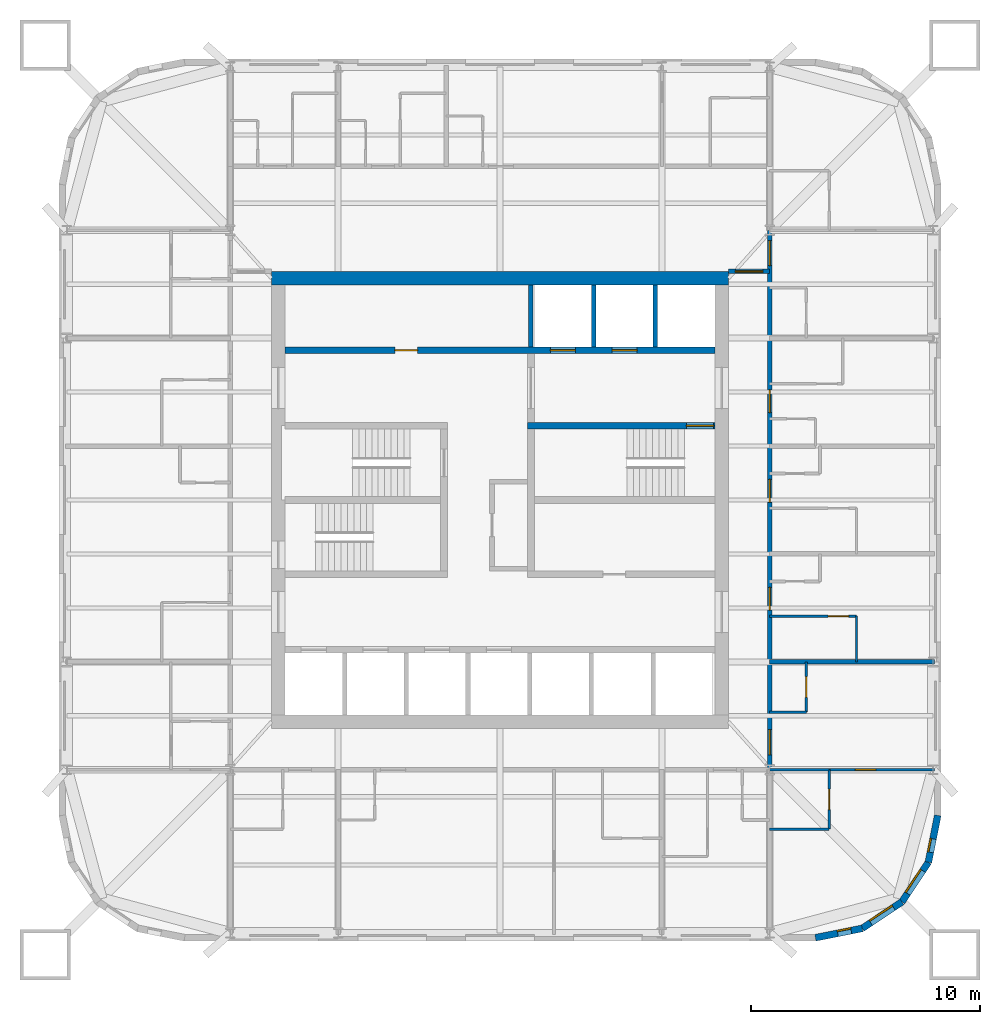
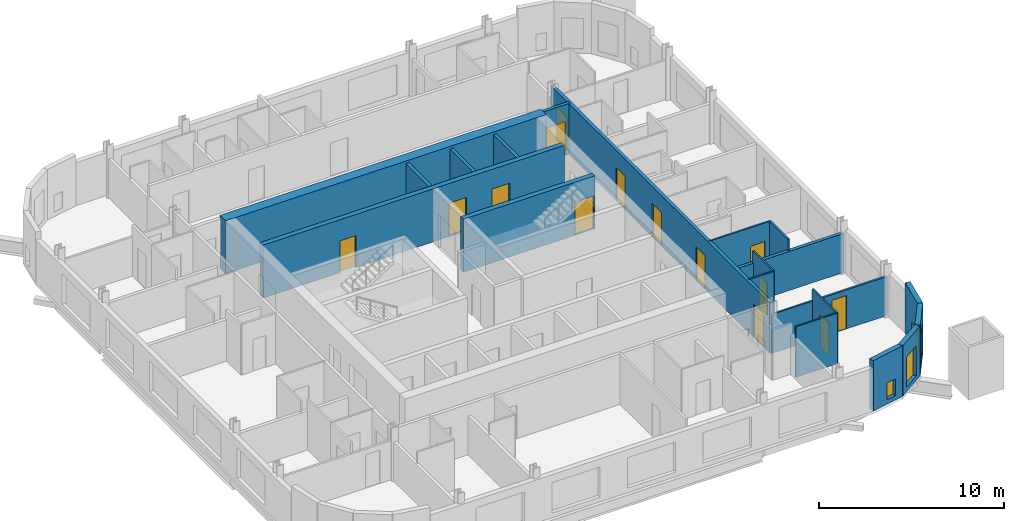
# One storey, part 5 of 9: 21 walls, 14 doors, 4 windows, 18 openings.
"""IFC4 building model written with IfcOpenShell, lengths in metres."""

from ifc_helpers import new_model, si_unit, direction, frame, frame_2d, origin, place, context, subcontext, project, spatial, rectangle, extrude, material, layer, layer_set, type_object, element, fill, save


model = new_model("IFC4")

# Units and contexts
model_context = context("Model", 3, precision=1e-05, world=origin(), true_north=direction((0.0, 1.0)))
body_context = subcontext(model_context, "Body", "Model", "MODEL_VIEW")
ifc_project = project(units=[si_unit("LENGTHUNIT", "METRE"), si_unit("AREAUNIT", "SQUARE_METRE"), si_unit("VOLUMEUNIT", "CUBIC_METRE"), si_unit("PLANEANGLEUNIT", "RADIAN"), si_unit("MASSUNIT", "GRAM", prefix="KILO")], contexts=[model_context])

# Site, building, storey
site_placement = place(None, origin())
site = spatial("IfcSite", under=ifc_project, at=site_placement, CompositionType="ELEMENT")
building_placement = place(site_placement, origin())
building = spatial("IfcBuilding", under=site, at=building_placement, Name="Turquesa Mirador Hotel Tower", CompositionType="ELEMENT")
storey_placement = place(building_placement, frame((0.0, 0.0, 210.800048828125)))
storey = spatial("IfcBuildingStorey", under=building, at=storey_placement, Name="L57", CompositionType="ELEMENT", Elevation=210.800048828125)

# Walls
ifc_material_1 = material(Name="Gypsum board on steel studs", Category="steel")
ifc_layer_1 = layer(ifc_material_1, 0.10009765625)
ifc_layer_set_1 = layer_set([ifc_layer_1], Name="BATHROOM WALL 100")
wall_type_1 = type_object("IfcWallType", Name="BATHROOM WALL 100", PredefinedType="PARTITIONING", material=ifc_layer_set_1)
wall_1_placement = place(storey_placement, frame((66.800048828125, 33.199951171875, 0.0), z_axis=(0.0, 0.0, 1.0), x_axis=(1.0, 0.0, 0.0)))
element("IfcWall", 1, at=wall_1_placement, inside=storey, type_object=wall_type_1, Name="Partition L57 002", PredefinedType="PARTITIONING", context=body_context, shape_type="SweptSolid", body=[
    extrude(rectangle(XDim=2.599853515625, YDim=0.10009765625, at=frame_2d((1.2998046875, 0.0))), origin(), (0.0, 0.0, 1.0), 2.572998046875),
])
wall_2_placement = place(storey_placement, frame((66.800048828125, 30.60009765625, 0.0), z_axis=(0.0, 0.0, 1.0), x_axis=(1.0, 0.0, 0.0)))
element("IfcWall", 2, at=wall_2_placement, inside=storey, type_object=wall_type_1, Name="Partition L57 009", PredefinedType="PARTITIONING", context=body_context, shape_type="SweptSolid", body=[
    extrude(rectangle(XDim=2.599853515625, YDim=0.10009765625, at=frame_2d((1.2998046875, 0.0))), origin(), (0.0, 0.0, 1.0), 3.329833984375),
])

# Wall, opening, door
wall_3_placement = place(storey_placement, frame((66.800048828125, 39.919921875, 0.0), z_axis=(0.0, 0.0, 1.0), x_axis=(1.0, 0.0, 0.0)))
wall_3 = element("IfcWall", 3, at=wall_3_placement, inside=storey, type_object=wall_type_1, Name="Partition L57 015", PredefinedType="PARTITIONING", context=body_context, shape_type="SweptSolid", body=[
    extrude(rectangle(XDim=3.800048828125, YDim=0.10009765625, at=frame_2d((1.89990234375, 0.0))), origin(), (0.0, 0.0, 1.0), 3.329833984375),
])
opening_1_placement = place(wall_3_placement, frame((2.550048828125, 0.0, 0.0)))
opening_1 = element("IfcOpeningElement", 4, at=opening_1_placement, cuts=wall_3, Name="Opening D02", PredefinedType="OPENING", context=body_context, shape_type="SweptSolid", body=[
    extrude(rectangle(XDim=0.89990234375, YDim=2.10009765625, at=frame_2d((0.449951171875, 1.050048828125))), frame((0.0, 0.06005859375, 0.0), z_axis=(0.0, -1.0, 0.0), x_axis=(1.0, 0.0, 0.0)), (0.0, 0.0, 1.0), 0.1201171875),
])
ifc_material_2 = material(Name="Timber veneered door", Category="wood")
door_type_1 = type_object("IfcDoorType", Name="DOOR 900X2100 EN-SUITE", OperationType="SINGLE_SWING_RIGHT", PredefinedType="DOOR", material=ifc_material_2)
door_1_placement = place(opening_1_placement, origin())
door_1 = element("IfcDoor", 5, at=door_1_placement, inside=storey, type_object=door_type_1, Name="Door 5707B", OperationType="SINGLE_SWING_RIGHT", OverallHeight=2.10009765625, OverallWidth=0.89990234375, PredefinedType="DOOR", context=body_context, shape_type="SweptSolid", body=[
    extrude(rectangle(XDim=0.89990234375, YDim=2.10009765625, at=frame_2d((0.449951171875, 1.050048828125))), frame((0.0, 0.02490234375, 0.0), z_axis=(0.0, -1.0, 0.0), x_axis=(1.0, 0.0, 0.0)), (0.0, 0.0, 1.0), 0.050048828125),
])
fill(opening_1, door_1)

# Wall
wall_4_placement = place(storey_placement, frame((66.800048828125, 35.719970703125, 0.0), z_axis=(0.0, 0.0, 1.0), x_axis=(1.0, 0.0, 0.0)))
element("IfcWall", 6, at=wall_4_placement, inside=storey, type_object=wall_type_1, Name="Partition L57 018", PredefinedType="PARTITIONING", context=body_context, shape_type="SweptSolid", body=[
    extrude(rectangle(XDim=1.599853515625, YDim=0.10009765625, at=frame_2d((0.7998046875, 0.0))), origin(), (0.0, 0.0, 1.0), 3.329833984375),
])

# Wall, opening, door
wall_5_placement = place(storey_placement, frame((68.39990234375, 35.719970703125, 0.0), z_axis=(0.0, 0.0, 1.0), x_axis=(0.0, 1.0, 0.0)))
wall_5 = element("IfcWall", 7, at=wall_5_placement, inside=storey, type_object=wall_type_1, Name="Partition L57 069", PredefinedType="PARTITIONING", context=body_context, shape_type="SweptSolid", body=[
    extrude(rectangle(XDim=2.199951171875, YDim=0.10009765625, at=frame_2d((1.10009765625, 0.0))), origin(), (0.0, 0.0, 1.0), 3.329833984375),
])
opening_2_placement = place(wall_5_placement, frame((0.64990234375, 0.0, 0.0)))
opening_2 = element("IfcOpeningElement", 8, at=opening_2_placement, cuts=wall_5, Name="Opening D06", PredefinedType="OPENING", context=body_context, shape_type="SweptSolid", body=[
    extrude(rectangle(XDim=0.89990234375, YDim=2.10009765625, at=frame_2d((0.449951171875, 1.050048828125))), frame((0.0, 0.06005859375, 0.0), z_axis=(0.0, -1.0, 0.0), x_axis=(1.0, 0.0, 0.0)), (0.0, 0.0, 1.0), 0.1201171875),
])
ifc_material_3 = material(Name="Laminate door", Category="wood")
door_type_2 = type_object("IfcDoorType", Name="DOOR 900X2100 WC", OperationType="SINGLE_SWING_LEFT", PredefinedType="DOOR", material=ifc_material_3)
door_2_placement = place(opening_2_placement, origin())
door_2 = element("IfcDoor", 9, at=door_2_placement, inside=storey, type_object=door_type_2, Name="Door 5715W", OperationType="SINGLE_SWING_LEFT", OverallHeight=2.10009765625, OverallWidth=0.89990234375, PredefinedType="DOOR", context=body_context, shape_type="SweptSolid", body=[
    extrude(rectangle(XDim=0.89990234375, YDim=2.10009765625, at=frame_2d((0.449951171875, 1.050048828125))), frame((0.0, 0.02490234375, 0.0), z_axis=(0.0, -1.0, 0.0), x_axis=(1.0, 0.0, 0.0)), (0.0, 0.0, 1.0), 0.050048828125),
])
fill(opening_2, door_2)

wall_6_placement = place(storey_placement, frame((69.39990234375, 30.60009765625, 0.0), z_axis=(0.0, 0.0, 1.0), x_axis=(0.0, 1.0, 0.0)))
wall_6 = element("IfcWall", 10, at=wall_6_placement, inside=storey, type_object=wall_type_1, Name="Partition L57 074", PredefinedType="PARTITIONING", context=body_context, shape_type="SweptSolid", body=[
    extrude(rectangle(XDim=2.599853515625, YDim=0.10009765625, at=frame_2d((1.2998046875, 0.0))), origin(), (0.0, 0.0, 1.0), 3.329833984375),
])
opening_3_placement = place(wall_6_placement, frame((0.85009765625, 0.0, 0.0)))
opening_3 = element("IfcOpeningElement", 11, at=opening_3_placement, cuts=wall_6, Name="Opening D02", PredefinedType="OPENING", context=body_context, shape_type="SweptSolid", body=[
    extrude(rectangle(XDim=0.89990234375, YDim=2.10009765625, at=frame_2d((0.449951171875, 1.050048828125))), frame((0.0, 0.06005859375, 0.0), z_axis=(0.0, -1.0, 0.0), x_axis=(1.0, 0.0, 0.0)), (0.0, 0.0, 1.0), 0.1201171875),
])
door_3_placement = place(opening_3_placement, origin())
door_3 = element("IfcDoor", 12, at=door_3_placement, inside=storey, type_object=door_type_1, Name="Door 5715B", OperationType="SINGLE_SWING_RIGHT", OverallHeight=2.10009765625, OverallWidth=0.89990234375, PredefinedType="DOOR", context=body_context, shape_type="SweptSolid", body=[
    extrude(rectangle(XDim=0.89990234375, YDim=2.10009765625, at=frame_2d((0.449951171875, 1.050048828125))), frame((0.0, 0.02490234375, 0.0), z_axis=(0.0, -1.0, 0.0), x_axis=(1.0, 0.0, 0.0)), (0.0, 0.0, 1.0), 0.050048828125),
])
fill(opening_3, door_3)

# Wall
wall_7_placement = place(storey_placement, frame((70.60009765625, 37.919921875, 0.0), z_axis=(0.0, 0.0, 1.0), x_axis=(0.0, 1.0, 0.0)))
element("IfcWall", 13, at=wall_7_placement, inside=storey, type_object=wall_type_1, Name="Partition L57 077", PredefinedType="PARTITIONING", context=body_context, shape_type="SweptSolid", body=[
    extrude(rectangle(XDim=2.0, YDim=0.10009765625, at=frame_2d((1.0, 0.0))), origin(), (0.0, 0.0, 1.0), 3.329833984375),
])

# Wall, openings, doors
ifc_material_4 = material(Name="Concrete C50/60", Category="concrete")
ifc_layer_2 = layer(ifc_material_4, 0.300048828125)
ifc_layer_set_2 = layer_set([ifc_layer_2], Name="CORE INNER WALL 300")
wall_type_2 = type_object("IfcWallType", Name="CORE INNER WALL 300", PredefinedType="SHEAR", material=ifc_layer_set_2)
wall_8_placement = place(storey_placement, frame((45.60009765625, 51.550048828125, 0.0), z_axis=(0.0, 0.0, 1.0), x_axis=(1.0, 0.0, 0.0)))
wall_8 = element("IfcWall", 14, at=wall_8_placement, inside=storey, type_object=wall_type_2, Name="Core wall NL", PredefinedType="SHEAR", context=body_context, shape_type="SweptSolid", body=[
    extrude(rectangle(XDim=18.7998046875, YDim=0.300048828125, at=frame_2d((9.39990234375, 0.0))), origin(), (0.0, 0.0, 1.0), 3.5),
])
opening_4_placement = place(wall_8_placement, frame((4.800048828125, 0.0, 0.0)))
opening_4 = element("IfcOpeningElement", 15, at=opening_4_placement, cuts=wall_8, Name="Opening D05", PredefinedType="OPENING", context=body_context, shape_type="SweptSolid", body=[
    extrude(rectangle(XDim=1.0, YDim=2.10009765625, at=frame_2d((0.5, 1.050048828125))), frame((0.0, 0.159912109375, 0.0), z_axis=(0.0, -1.0, 0.0), x_axis=(1.0, 0.0, 0.0)), (0.0, 0.0, 1.0), 0.320068359375),
])
opening_5_placement = place(wall_8_placement, frame((11.60009765625, 0.0, 0.0)))
opening_5 = element("IfcOpeningElement", 16, at=opening_5_placement, cuts=wall_8, Name="Opening LD", PredefinedType="OPENING", context=body_context, shape_type="SweptSolid", body=[
    extrude(rectangle(XDim=1.10009765625, YDim=2.199951171875, at=frame_2d((0.550048828125, 1.10009765625))), frame((0.0, 0.159912109375, 0.0), z_axis=(0.0, -1.0, 0.0), x_axis=(1.0, 0.0, 0.0)), (0.0, 0.0, 1.0), 0.320068359375),
])
opening_6_placement = place(wall_8_placement, frame((14.300048828125, 0.0, 0.0)))
opening_6 = element("IfcOpeningElement", 17, at=opening_6_placement, cuts=wall_8, Name="Opening LD", PredefinedType="OPENING", context=body_context, shape_type="SweptSolid", body=[
    extrude(rectangle(XDim=1.10009765625, YDim=2.199951171875, at=frame_2d((0.550048828125, 1.10009765625))), frame((0.0, 0.159912109375, 0.0), z_axis=(0.0, -1.0, 0.0), x_axis=(1.0, 0.0, 0.0)), (0.0, 0.0, 1.0), 0.320068359375),
])
ifc_material_5 = material(Name="Steel fire door", Category="steel")
door_type_3 = type_object("IfcDoorType", Name="DOOR 1000X2100 SERVICE", OperationType="SINGLE_SWING_LEFT", PredefinedType="DOOR", material=ifc_material_5)
door_4_placement = place(opening_4_placement, origin())
door_4 = element("IfcDoor", 18, at=door_4_placement, inside=storey, type_object=door_type_3, Name="Linen store door", OperationType="SINGLE_SWING_LEFT", OverallHeight=2.10009765625, OverallWidth=1.0, PredefinedType="DOOR", context=body_context, shape_type="SweptSolid", body=[
    extrude(rectangle(XDim=1.0, YDim=2.10009765625, at=frame_2d((0.5, 1.050048828125))), frame((0.0, 0.02490234375, 0.0), z_axis=(0.0, -1.0, 0.0), x_axis=(1.0, 0.0, 0.0)), (0.0, 0.0, 1.0), 0.050048828125),
])
fill(opening_4, door_4)
ifc_material_6 = material(Name="Stainless steel lift landing door", Category="steel")
door_type_4 = type_object("IfcDoorType", Name="LIFT LANDING DOOR 1100X2200", OperationType="SLIDING_TO_LEFT", PredefinedType="DOOR", material=ifc_material_6)
door_5_placement = place(opening_5_placement, origin())
door_5 = element("IfcDoor", 19, at=door_5_placement, inside=storey, type_object=door_type_4, Name="Lift S1 landing door", OperationType="SLIDING_TO_LEFT", OverallHeight=2.199951171875, OverallWidth=1.10009765625, PredefinedType="DOOR", context=body_context, shape_type="SweptSolid", body=[
    extrude(rectangle(XDim=1.10009765625, YDim=2.199951171875, at=frame_2d((0.550048828125, 1.10009765625))), frame((0.0, 0.02490234375, 0.0), z_axis=(0.0, -1.0, 0.0), x_axis=(1.0, 0.0, 0.0)), (0.0, 0.0, 1.0), 0.050048828125),
])
fill(opening_5, door_5)
door_6_placement = place(opening_6_placement, origin())
door_6 = element("IfcDoor", 20, at=door_6_placement, inside=storey, type_object=door_type_4, Name="Lift S2 landing door", OperationType="SLIDING_TO_LEFT", OverallHeight=2.199951171875, OverallWidth=1.10009765625, PredefinedType="DOOR", context=body_context, shape_type="SweptSolid", body=[
    extrude(rectangle(XDim=1.10009765625, YDim=2.199951171875, at=frame_2d((0.550048828125, 1.10009765625))), frame((0.0, 0.02490234375, 0.0), z_axis=(0.0, -1.0, 0.0), x_axis=(1.0, 0.0, 0.0)), (0.0, 0.0, 1.0), 0.050048828125),
])
fill(opening_6, door_6)

# Wall, opening, door
wall_9_placement = place(storey_placement, frame((56.199951171875, 48.25, 0.0), z_axis=(0.0, 0.0, 1.0), x_axis=(1.0, 0.0, 0.0)))
wall_9 = element("IfcWall", 21, at=wall_9_placement, inside=storey, type_object=wall_type_2, Name="Core wall MN-E", PredefinedType="SHEAR", context=body_context, shape_type="SweptSolid", body=[
    extrude(rectangle(XDim=8.199951171875, YDim=0.300048828125, at=frame_2d((4.10009765625, 0.0))), origin(), (0.0, 0.0, 1.0), 3.5),
])
opening_7_placement = place(wall_9_placement, frame((6.949951171875, 0.0, 0.0)))
opening_7 = element("IfcOpeningElement", 22, at=opening_7_placement, cuts=wall_9, Name="Opening D03", PredefinedType="OPENING", context=body_context, shape_type="SweptSolid", body=[
    extrude(rectangle(XDim=1.199951171875, YDim=2.199951171875, at=frame_2d((0.60009765625, 1.10009765625))), frame((0.0, 0.159912109375, 0.0), z_axis=(0.0, -1.0, 0.0), x_axis=(1.0, 0.0, 0.0)), (0.0, 0.0, 1.0), 0.320068359375),
])
ifc_material_7 = material(Name="Steel fire door", Category="steel")
door_type_5 = type_object("IfcDoorType", Name="DOOR 1200X2200 STAIR", OperationType="SINGLE_SWING_LEFT", PredefinedType="DOOR", material=ifc_material_7)
door_7_placement = place(opening_7_placement, origin())
door_7 = element("IfcDoor", 23, at=door_7_placement, inside=storey, type_object=door_type_5, Name="Stair ST3 door", OperationType="SINGLE_SWING_LEFT", OverallHeight=2.199951171875, OverallWidth=1.199951171875, PredefinedType="DOOR", context=body_context, shape_type="SweptSolid", body=[
    extrude(rectangle(XDim=1.199951171875, YDim=2.199951171875, at=frame_2d((0.60009765625, 1.10009765625))), frame((0.0, 0.02490234375, 0.0), z_axis=(0.0, -1.0, 0.0), x_axis=(1.0, 0.0, 0.0)), (0.0, 0.0, 1.0), 0.050048828125),
])
fill(opening_7, door_7)

# Wall
ifc_material_8 = material(Name="Concrete C50/60", Category="concrete")
ifc_layer_3 = layer(ifc_material_8, 0.60009765625)
ifc_layer_set_3 = layer_set([ifc_layer_3], Name="CORE WALL 600")
wall_type_3 = type_object("IfcWallType", Name="CORE WALL 600", PredefinedType="SHEAR", material=ifc_layer_set_3)
wall_10_placement = place(storey_placement, frame((45.0, 54.699951171875, 0.0), z_axis=(0.0, 0.0, 1.0), x_axis=(1.0, 0.0, 0.0)))
element("IfcWall", 24, at=wall_10_placement, inside=storey, type_object=wall_type_3, Name="Core wall N", PredefinedType="SHEAR", context=body_context, shape_type="SweptSolid", body=[
    extrude(rectangle(XDim=20.0, YDim=0.60009765625, at=frame_2d((10.0, 0.0))), origin(), (0.0, 0.0, 1.0), 3.5),
])

# Wall, opening, door
ifc_material_9 = material(Name="Fire-rated gypsum board on steel studs", Category="steel")
ifc_layer_4 = layer(ifc_material_9, 0.199951171875)
ifc_layer_set_4 = layer_set([ifc_layer_4], Name="CORRIDOR WALL 200")
wall_type_4 = type_object("IfcWallType", Name="CORRIDOR WALL 200", PredefinedType="PARTITIONING", material=ifc_layer_set_4)
wall_11_placement = place(storey_placement, frame((65.0, 55.0, 0.0), z_axis=(0.0, 0.0, 1.0), x_axis=(1.0, 0.0, 0.0)))
wall_11 = element("IfcWall", 25, at=wall_11_placement, inside=storey, type_object=wall_type_4, Name="Partition L57 023", PredefinedType="PARTITIONING", context=body_context, shape_type="SweptSolid", body=[
    extrude(rectangle(XDim=1.800048828125, YDim=0.199951171875, at=frame_2d((0.89990234375, 0.0))), origin(), (0.0, 0.0, 1.0), 3.329833984375),
])
opening_8_placement = place(wall_11_placement, frame((0.300048828125, 0.0, 0.0)))
opening_8 = element("IfcOpeningElement", 26, at=opening_8_placement, cuts=wall_11, Name="Opening D19", PredefinedType="OPENING", context=body_context, shape_type="SweptSolid", body=[
    extrude(rectangle(XDim=1.199951171875, YDim=2.199951171875, at=frame_2d((0.60009765625, 1.10009765625))), frame((0.0, 0.10986328125, 0.0), z_axis=(0.0, -1.0, 0.0), x_axis=(1.0, 0.0, 0.0)), (0.0, 0.0, 1.0), 0.219970703125),
])
ifc_material_10 = material(Name="Steel glazed fire door", Category="steel")
door_type_6 = type_object("IfcDoorType", Name="DOOR 1200X2200 FIRE DOOR GLAZED", OperationType="SINGLE_SWING_LEFT", PredefinedType="DOOR", material=ifc_material_10)
door_8_placement = place(opening_8_placement, origin())
door_8 = element("IfcDoor", 27, at=door_8_placement, inside=storey, type_object=door_type_6, Name="Door L57-C03-1", OperationType="SINGLE_SWING_LEFT", OverallHeight=2.199951171875, OverallWidth=1.199951171875, PredefinedType="DOOR", context=body_context, shape_type="SweptSolid", body=[
    extrude(rectangle(XDim=1.199951171875, YDim=2.199951171875, at=frame_2d((0.60009765625, 1.10009765625))), frame((0.0, 0.02490234375, 0.0), z_axis=(0.0, -1.0, 0.0), x_axis=(1.0, 0.0, 0.0)), (0.0, 0.0, 1.0), 0.050048828125),
])
fill(opening_8, door_8)

# Wall, openings, doors
wall_12_placement = place(storey_placement, frame((66.800048828125, 33.199951171875, 0.0), z_axis=(0.0, 0.0, 1.0), x_axis=(0.0, 1.0, 0.0)))
wall_12 = element("IfcWall", 28, at=wall_12_placement, inside=storey, type_object=wall_type_4, Name="Partition L57 066", PredefinedType="PARTITIONING", context=body_context, shape_type="SweptSolid", body=[
    extrude(rectangle(XDim=23.580078125, YDim=0.199951171875, at=frame_2d((11.7900390625, 0.0))), origin(), (0.0, 0.0, 1.0), 3.329833984375),
])
opening_9_placement = place(wall_12_placement, frame((6.97998046875, 0.0, 0.0)))
opening_9 = element("IfcOpeningElement", 29, at=opening_9_placement, cuts=wall_12, Name="Opening D01", PredefinedType="OPENING", context=body_context, shape_type="SweptSolid", body=[
    extrude(rectangle(XDim=1.0, YDim=2.199951171875, at=frame_2d((0.5, 1.10009765625))), frame((0.0, 0.10986328125, 0.0), z_axis=(0.0, -1.0, 0.0), x_axis=(1.0, 0.0, 0.0)), (0.0, 0.0, 1.0), 0.219970703125),
])
opening_10_placement = place(wall_12_placement, frame((11.699951171875, 0.0, 0.0)))
opening_10 = element("IfcOpeningElement", 30, at=opening_10_placement, cuts=wall_12, Name="Opening D01", PredefinedType="OPENING", context=body_context, shape_type="SweptSolid", body=[
    extrude(rectangle(XDim=1.0, YDim=2.199951171875, at=frame_2d((0.5, 1.10009765625))), frame((0.0, 0.10986328125, 0.0), z_axis=(0.0, -1.0, 0.0), x_axis=(1.0, 0.0, 0.0)), (0.0, 0.0, 1.0), 0.219970703125),
])
opening_11_placement = place(wall_12_placement, frame((15.6201171875, 0.0, 0.0)))
opening_11 = element("IfcOpeningElement", 31, at=opening_11_placement, cuts=wall_12, Name="Opening D01", PredefinedType="OPENING", context=body_context, shape_type="SweptSolid", body=[
    extrude(rectangle(XDim=1.0, YDim=2.199951171875, at=frame_2d((0.5, 1.10009765625))), frame((0.0, 0.10986328125, 0.0), z_axis=(0.0, -1.0, 0.0), x_axis=(1.0, 0.0, 0.0)), (0.0, 0.0, 1.0), 0.219970703125),
])
opening_12_placement = place(wall_12_placement, frame((22.050048828125, 0.0, 0.0)))
opening_12 = element("IfcOpeningElement", 32, at=opening_12_placement, cuts=wall_12, Name="Opening D15", PredefinedType="OPENING", context=body_context, shape_type="SweptSolid", body=[
    extrude(rectangle(XDim=1.10009765625, YDim=2.199951171875, at=frame_2d((0.550048828125, 1.10009765625))), frame((0.0, 0.10986328125, 0.0), z_axis=(0.0, -1.0, 0.0), x_axis=(1.0, 0.0, 0.0)), (0.0, 0.0, 1.0), 0.219970703125),
])
opening_13_placement = place(wall_12_placement, frame((0.64990234375, 0.0, 0.0)))
opening_13 = element("IfcOpeningElement", 33, at=opening_13_placement, cuts=wall_12, Name="Opening D15", PredefinedType="OPENING", context=body_context, shape_type="SweptSolid", body=[
    extrude(rectangle(XDim=1.10009765625, YDim=2.199951171875, at=frame_2d((0.550048828125, 1.10009765625))), frame((0.0, 0.10986328125, 0.0), z_axis=(0.0, -1.0, 0.0), x_axis=(1.0, 0.0, 0.0)), (0.0, 0.0, 1.0), 0.219970703125),
])
ifc_material_11 = material(Name="Timber veneered fire door", Category="wood")
door_type_7 = type_object("IfcDoorType", Name="DOOR 1000X2200 GUEST ENTRY", OperationType="SINGLE_SWING_LEFT", PredefinedType="DOOR", material=ifc_material_11)
door_9_placement = place(opening_9_placement, origin())
door_9 = element("IfcDoor", 34, at=door_9_placement, inside=storey, type_object=door_type_7, Name="Door 5707", OperationType="SINGLE_SWING_LEFT", OverallHeight=2.199951171875, OverallWidth=1.0, PredefinedType="DOOR", context=body_context, shape_type="SweptSolid", body=[
    extrude(rectangle(XDim=1.0, YDim=2.199951171875, at=frame_2d((0.5, 1.10009765625))), frame((0.0, 0.02490234375, 0.0), z_axis=(0.0, -1.0, 0.0), x_axis=(1.0, 0.0, 0.0)), (0.0, 0.0, 1.0), 0.050048828125),
])
fill(opening_9, door_9)
door_10_placement = place(opening_10_placement, origin())
door_10 = element("IfcDoor", 35, at=door_10_placement, inside=storey, type_object=door_type_7, Name="Door 5708", OperationType="SINGLE_SWING_LEFT", OverallHeight=2.199951171875, OverallWidth=1.0, PredefinedType="DOOR", context=body_context, shape_type="SweptSolid", body=[
    extrude(rectangle(XDim=1.0, YDim=2.199951171875, at=frame_2d((0.5, 1.10009765625))), frame((0.0, 0.02490234375, 0.0), z_axis=(0.0, -1.0, 0.0), x_axis=(1.0, 0.0, 0.0)), (0.0, 0.0, 1.0), 0.050048828125),
])
fill(opening_10, door_10)
door_11_placement = place(opening_11_placement, origin())
door_11 = element("IfcDoor", 36, at=door_11_placement, inside=storey, type_object=door_type_7, Name="Door 5709", OperationType="SINGLE_SWING_LEFT", OverallHeight=2.199951171875, OverallWidth=1.0, PredefinedType="DOOR", context=body_context, shape_type="SweptSolid", body=[
    extrude(rectangle(XDim=1.0, YDim=2.199951171875, at=frame_2d((0.5, 1.10009765625))), frame((0.0, 0.02490234375, 0.0), z_axis=(0.0, -1.0, 0.0), x_axis=(1.0, 0.0, 0.0)), (0.0, 0.0, 1.0), 0.050048828125),
])
fill(opening_11, door_11)
ifc_material_12 = material(Name="Timber veneered fire door", Category="wood")
door_type_8 = type_object("IfcDoorType", Name="DOOR 1100X2200 SUITE ENTRY", OperationType="SINGLE_SWING_LEFT", PredefinedType="DOOR", material=ifc_material_12)
door_12_placement = place(opening_12_placement, origin())
door_12 = element("IfcDoor", 37, at=door_12_placement, inside=storey, type_object=door_type_8, Name="Door 5712", OperationType="SINGLE_SWING_LEFT", OverallHeight=2.199951171875, OverallWidth=1.10009765625, PredefinedType="DOOR", context=body_context, shape_type="SweptSolid", body=[
    extrude(rectangle(XDim=1.10009765625, YDim=2.199951171875, at=frame_2d((0.550048828125, 1.10009765625))), frame((0.0, 0.02490234375, 0.0), z_axis=(0.0, -1.0, 0.0), x_axis=(1.0, 0.0, 0.0)), (0.0, 0.0, 1.0), 0.050048828125),
])
fill(opening_12, door_12)
door_13_placement = place(opening_13_placement, origin())
door_13 = element("IfcDoor", 38, at=door_13_placement, inside=storey, type_object=door_type_8, Name="Door 5715", OperationType="SINGLE_SWING_LEFT", OverallHeight=2.199951171875, OverallWidth=1.10009765625, PredefinedType="DOOR", context=body_context, shape_type="SweptSolid", body=[
    extrude(rectangle(XDim=1.10009765625, YDim=2.199951171875, at=frame_2d((0.550048828125, 1.10009765625))), frame((0.0, 0.02490234375, 0.0), z_axis=(0.0, -1.0, 0.0), x_axis=(1.0, 0.0, 0.0)), (0.0, 0.0, 1.0), 0.050048828125),
])
fill(opening_13, door_13)

# Wall, opening, window
ifc_material_13 = material(Name="Limestone cladding on concrete block", Category="masonry")
ifc_layer_5 = layer(ifc_material_13, 0.300048828125)
ifc_layer_set_5 = layer_set([ifc_layer_5], Name="FACADE WALL 300 STONE SCREEN")
wall_type_5 = type_object("IfcWallType", Name="FACADE WALL 300 STONE SCREEN", PredefinedType="SOLIDWALL", material=ifc_layer_set_5)
wall_13_placement = place(storey_placement, frame((68.800048828125, 25.85009765625, 0.0), z_axis=(0.0, 0.0, 1.0), x_axis=(0.980787050784, 0.195081421501, 0.0)))
wall_13 = element("IfcWall", 39, at=wall_13_placement, inside=storey, type_object=wall_type_5, Name="Facade wall L57 00", PredefinedType="SOLIDWALL", context=body_context, shape_type="SweptSolid", body=[
    extrude(rectangle(XDim=2.08740234375, YDim=0.300048828125, at=frame_2d((1.043701171875, 0.0))), origin(), (0.0, 0.0, 1.0), 3.329833984375),
])
opening_14_placement = place(wall_13_placement, frame((0.99365234375, 0.0, 0.300048828125)))
opening_14 = element("IfcOpeningElement", 40, at=opening_14_placement, cuts=wall_13, Name="Opening WN12", PredefinedType="OPENING", context=body_context, shape_type="SweptSolid", body=[
    extrude(rectangle(XDim=0.60009765625, YDim=1.10009765625, at=frame_2d((0.300048828125, 0.550048828125))), frame((0.0, 0.159912109375, 0.0), z_axis=(0.0, -1.0, 0.0), x_axis=(1.0, 0.0, 0.0)), (0.0, 0.0, 1.0), 0.320068359375),
])
ifc_material_14 = material(Name="Ceramic-fritted laminated glass", Category="glass")
window_type_1 = type_object("IfcWindowType", Name="FRITTED CORNER WINDOW 600X1100", PartitioningType="DOUBLE_PANEL_HORIZONTAL", PredefinedType="WINDOW", material=ifc_material_14)
window_1_placement = place(opening_14_placement, origin())
window_1 = element("IfcWindow", 41, at=window_1_placement, inside=storey, type_object=window_type_1, Name="Window L57", OverallHeight=1.10009765625, OverallWidth=0.60009765625, PartitioningType="SINGLE_PANEL", PredefinedType="WINDOW", context=body_context, shape_type="SweptSolid", body=[
    extrude(rectangle(XDim=0.60009765625, YDim=1.10009765625, at=frame_2d((0.300048828125, 0.550048828125))), frame((0.0, 0.130126953125, 0.0), z_axis=(0.0, -1.0, 0.0), x_axis=(1.0, 0.0, 0.0)), (0.0, 0.0, 1.0), 0.06005859375),
])
fill(opening_14, window_1)

wall_14_placement = place(storey_placement, frame((70.847412109375, 26.25732421875, 0.0), z_axis=(0.0, 0.0, 1.0), x_axis=(0.831474039234, 0.555563607591, 0.0)))
wall_14 = element("IfcWall", 42, at=wall_14_placement, inside=storey, type_object=wall_type_5, Name="Facade wall L57 01", PredefinedType="SOLIDWALL", context=body_context, shape_type="SweptSolid", body=[
    extrude(rectangle(XDim=2.08740234375, YDim=0.300048828125, at=frame_2d((1.043701171875, 0.0))), origin(), (0.0, 0.0, 1.0), 3.329833984375),
])
opening_15_placement = place(wall_14_placement, frame((0.443603515625, 0.0, 0.300048828125)))
opening_15 = element("IfcOpeningElement", 43, at=opening_15_placement, cuts=wall_14, Name="Opening WN4", PredefinedType="OPENING", context=body_context, shape_type="SweptSolid", body=[
    extrude(rectangle(XDim=1.199951171875, YDim=2.0, at=frame_2d((0.60009765625, 1.0))), frame((0.0, 0.159912109375, 0.0), z_axis=(0.0, -1.0, 0.0), x_axis=(1.0, 0.0, 0.0)), (0.0, 0.0, 1.0), 0.320068359375),
])
ifc_material_15 = material(Name="Ceramic-fritted laminated glass", Category="glass")
window_type_2 = type_object("IfcWindowType", Name="FRITTED CORNER WINDOW 1200X2000", PartitioningType="DOUBLE_PANEL_HORIZONTAL", PredefinedType="WINDOW", material=ifc_material_15)
window_2_placement = place(opening_15_placement, origin())
window_2 = element("IfcWindow", 44, at=window_2_placement, inside=storey, type_object=window_type_2, Name="Window L57", OverallHeight=2.0, OverallWidth=1.199951171875, PartitioningType="SINGLE_PANEL", PredefinedType="WINDOW", context=body_context, shape_type="SweptSolid", body=[
    extrude(rectangle(XDim=1.199951171875, YDim=2.0, at=frame_2d((0.60009765625, 1.0))), frame((0.0, 0.130126953125, 0.0), z_axis=(0.0, -1.0, 0.0), x_axis=(1.0, 0.0, 0.0)), (0.0, 0.0, 1.0), 0.06005859375),
])
fill(opening_15, window_2)

wall_15_placement = place(storey_placement, frame((72.5830078125, 27.4169921875, 0.0), z_axis=(0.0, 0.0, 1.0), x_axis=(0.555563607591, 0.831474039234, 0.0)))
wall_15 = element("IfcWall", 45, at=wall_15_placement, inside=storey, type_object=wall_type_5, Name="Facade wall L57 02", PredefinedType="SOLIDWALL", context=body_context, shape_type="SweptSolid", body=[
    extrude(rectangle(XDim=2.08740234375, YDim=0.300048828125, at=frame_2d((1.043701171875, 0.0))), origin(), (0.0, 0.0, 1.0), 3.329833984375),
])
opening_16_placement = place(wall_15_placement, frame((0.443603515625, 0.0, 0.300048828125)))
opening_16 = element("IfcOpeningElement", 46, at=opening_16_placement, cuts=wall_15, Name="Opening WN4", PredefinedType="OPENING", context=body_context, shape_type="SweptSolid", body=[
    extrude(rectangle(XDim=1.199951171875, YDim=2.0, at=frame_2d((0.60009765625, 1.0))), frame((0.0, 0.159912109375, 0.0), z_axis=(0.0, -1.0, 0.0), x_axis=(1.0, 0.0, 0.0)), (0.0, 0.0, 1.0), 0.320068359375),
])
window_3_placement = place(opening_16_placement, origin())
window_3 = element("IfcWindow", 47, at=window_3_placement, inside=storey, type_object=window_type_2, Name="Window L57", OverallHeight=2.0, OverallWidth=1.199951171875, PartitioningType="SINGLE_PANEL", PredefinedType="WINDOW", context=body_context, shape_type="SweptSolid", body=[
    extrude(rectangle(XDim=1.199951171875, YDim=2.0, at=frame_2d((0.60009765625, 1.0))), frame((0.0, 0.130126953125, 0.0), z_axis=(0.0, -1.0, 0.0), x_axis=(1.0, 0.0, 0.0)), (0.0, 0.0, 1.0), 0.06005859375),
])
fill(opening_16, window_3)

wall_16_placement = place(storey_placement, frame((73.74267578125, 29.152587890625, 0.0), z_axis=(0.0, 0.0, 1.0), x_axis=(0.195081421501, 0.980787050784, 0.0)))
wall_16 = element("IfcWall", 48, at=wall_16_placement, inside=storey, type_object=wall_type_5, Name="Facade wall L57 03", PredefinedType="SOLIDWALL", context=body_context, shape_type="SweptSolid", body=[
    extrude(rectangle(XDim=2.08740234375, YDim=0.300048828125, at=frame_2d((1.043701171875, 0.0))), origin(), (0.0, 0.0, 1.0), 3.329833984375),
])
opening_17_placement = place(wall_16_placement, frame((0.443603515625, 0.0, 0.300048828125)))
opening_17 = element("IfcOpeningElement", 49, at=opening_17_placement, cuts=wall_16, Name="Opening WN12", PredefinedType="OPENING", context=body_context, shape_type="SweptSolid", body=[
    extrude(rectangle(XDim=0.60009765625, YDim=1.10009765625, at=frame_2d((0.300048828125, 0.550048828125))), frame((0.0, 0.159912109375, 0.0), z_axis=(0.0, -1.0, 0.0), x_axis=(1.0, 0.0, 0.0)), (0.0, 0.0, 1.0), 0.320068359375),
])
window_4_placement = place(opening_17_placement, origin())
window_4 = element("IfcWindow", 50, at=window_4_placement, inside=storey, type_object=window_type_1, Name="Window L57", OverallHeight=1.10009765625, OverallWidth=0.60009765625, PartitioningType="SINGLE_PANEL", PredefinedType="WINDOW", context=body_context, shape_type="SweptSolid", body=[
    extrude(rectangle(XDim=0.60009765625, YDim=1.10009765625, at=frame_2d((0.300048828125, 0.550048828125))), frame((0.0, 0.130126953125, 0.0), z_axis=(0.0, -1.0, 0.0), x_axis=(1.0, 0.0, 0.0)), (0.0, 0.0, 1.0), 0.06005859375),
])
fill(opening_17, window_4)

# Walls
ifc_material_16 = material(Name="Fire-rated gypsum shaft wall on steel studs", Category="steel")
ifc_layer_6 = layer(ifc_material_16, 0.199951171875)
ifc_layer_set_6 = layer_set([ifc_layer_6], Name="LIFT SHAFT DIVIDER 200")
wall_type_6 = type_object("IfcWallType", Name="LIFT SHAFT DIVIDER 200", PredefinedType="PARTITIONING", material=ifc_layer_set_6)
for number, where, z_axis, x_axis, name in (
    (51, (59.10009765625, 51.699951171875, 0.0), (0.0, 0.0, 1.0), (0.0, 1.0, 0.0), "Lift shaft divider"),
    (52, (61.800048828125, 51.699951171875, 0.0), (0.0, 0.0, 1.0), (0.0, 1.0, 0.0), "Lift shaft divider"),
    (53, (56.35009765625, 51.699951171875, 0.0), (0.0, 0.0, 1.0), (0.0, 1.0, 0.0), "Lift shaft divider"),
):
    element("IfcWall", number, at=place(storey_placement, frame(where, z_axis=z_axis, x_axis=x_axis)), inside=storey, type_object=wall_type_6, Name=name, PredefinedType="PARTITIONING", context=body_context, shape_type="SweptSolid", body=[
        extrude(rectangle(XDim=2.699951171875, YDim=0.199951171875, at=frame_2d((1.35009765625, 0.0))), origin(), (0.0, 0.0, 1.0), 3.329833984375),
    ])
ifc_material_17 = material(Name="Fire-rated gypsum board on steel studs", Category="steel")
ifc_layer_7 = layer(ifc_material_17, 0.199951171875)
ifc_layer_set_7 = layer_set([ifc_layer_7], Name="PARTY WALL 200")
wall_type_7 = type_object("IfcWallType", Name="PARTY WALL 200", PredefinedType="PARTITIONING", material=ifc_layer_set_7)
wall_17_placement = place(storey_placement, frame((66.800048828125, 37.919921875, 0.0), z_axis=(0.0, 0.0, 1.0), x_axis=(1.0, 0.0, 0.0)))
element("IfcWall", 54, at=wall_17_placement, inside=storey, type_object=wall_type_7, Name="Partition L57 017", PredefinedType="PARTITIONING", context=body_context, shape_type="SweptSolid", body=[
    extrude(rectangle(XDim=7.199951171875, YDim=0.199951171875, at=frame_2d((3.60009765625, 0.0))), origin(), (0.0, 0.0, 1.0), 2.572998046875),
])

# Wall, opening, door
ifc_material_18 = material(Name="Acoustic gypsum board on steel studs", Category="steel")
ifc_layer_8 = layer(ifc_material_18, 0.125)
ifc_layer_set_8 = layer_set([ifc_layer_8], Name="SUITE PARTITION 125")
wall_type_8 = type_object("IfcWallType", Name="SUITE PARTITION 125", PredefinedType="PARTITIONING", material=ifc_layer_set_8)
wall_18_placement = place(storey_placement, frame((69.39990234375, 33.199951171875, 0.0), z_axis=(0.0, 0.0, 1.0), x_axis=(1.0, 0.0, 0.0)))
wall_18 = element("IfcWall", 55, at=wall_18_placement, inside=storey, type_object=wall_type_8, Name="Partition L57 005", PredefinedType="PARTITIONING", context=body_context, shape_type="SweptSolid", body=[
    extrude(rectangle(XDim=4.60009765625, YDim=0.125, at=frame_2d((2.300048828125, 0.0))), origin(), (0.0, 0.0, 1.0), 2.572998046875),
])
opening_18_placement = place(wall_18_placement, frame((1.14990234375, 0.0, 0.0)))
opening_18 = element("IfcOpeningElement", 56, at=opening_18_placement, cuts=wall_18, Name="Opening D17", PredefinedType="OPENING", context=body_context, shape_type="SweptSolid", body=[
    extrude(rectangle(XDim=0.89990234375, YDim=2.199951171875, at=frame_2d((0.449951171875, 1.10009765625))), frame((0.0, 0.072509765625, 0.0), z_axis=(0.0, -1.0, 0.0), x_axis=(1.0, 0.0, 0.0)), (0.0, 0.0, 1.0), 0.14501953125),
])
ifc_material_19 = material(Name="Timber veneered door", Category="wood")
door_type_9 = type_object("IfcDoorType", Name="DOOR 900X2200 SUITE INTERNAL", OperationType="SINGLE_SWING_LEFT", PredefinedType="DOOR", material=ifc_material_19)
door_14_placement = place(opening_18_placement, origin())
door_14 = element("IfcDoor", 57, at=door_14_placement, inside=storey, type_object=door_type_9, Name="Door 5715R", OperationType="SINGLE_SWING_LEFT", OverallHeight=2.199951171875, OverallWidth=0.89990234375, PredefinedType="DOOR", context=body_context, shape_type="SweptSolid", body=[
    extrude(rectangle(XDim=0.89990234375, YDim=2.199951171875, at=frame_2d((0.449951171875, 1.10009765625))), frame((0.0, 0.02490234375, 0.0), z_axis=(0.0, -1.0, 0.0), x_axis=(1.0, 0.0, 0.0)), (0.0, 0.0, 1.0), 0.050048828125),
])
fill(opening_18, door_14)

save(model, "model.ifc")
